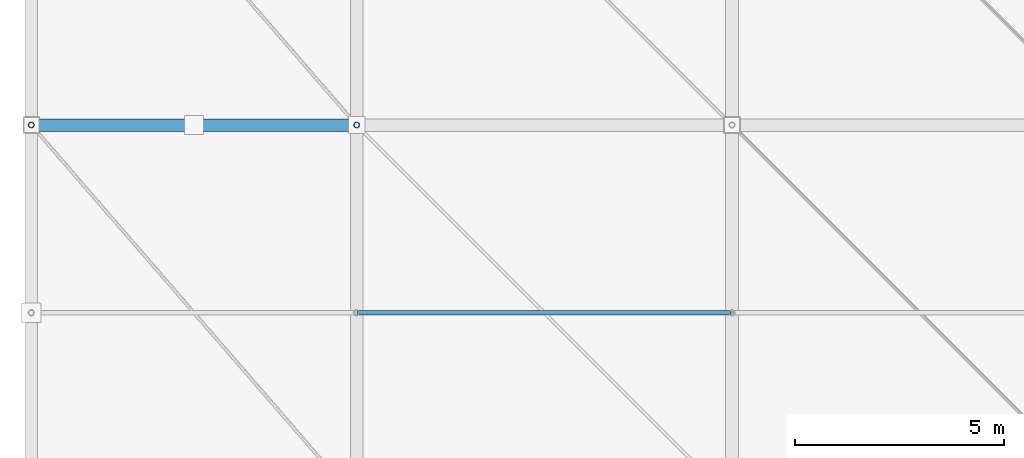
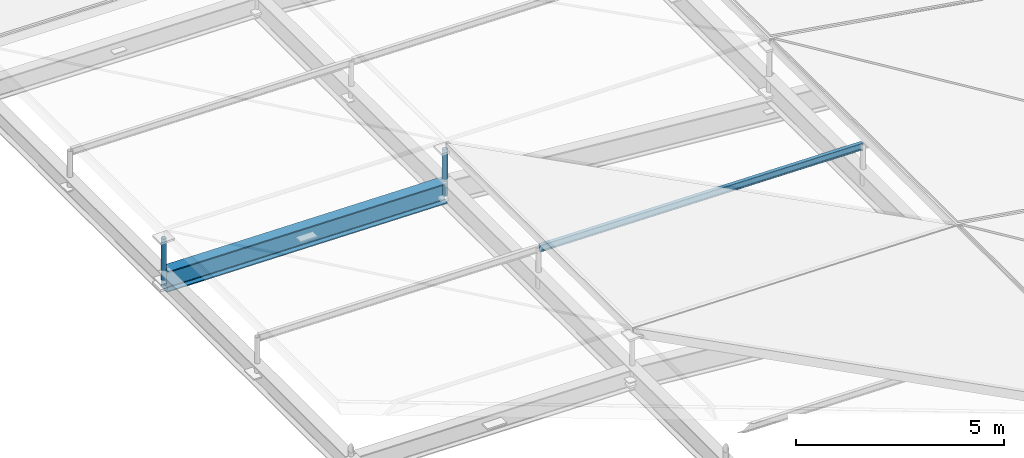
# One storey, part 7 of 80: 3 members, 1 beam.
"""IFC4 building model written with IfcOpenShell, lengths in metres."""

from ifc_helpers import new_model, si_unit, direction, frame, origin, origin_2d, place, context, subcontext, project, spatial, hollow_circle, i_section, extrude, material, material_profile, profile_set, type_object, element, save


model = new_model("IFC4")

# Units and contexts
model_context = context("Model", 3, precision=1e-05, world=origin(), true_north=direction((0.0, 1.0)))
body_context = subcontext(model_context, "Body", "Model", "MODEL_VIEW")
ifc_project = project(units=[si_unit("LENGTHUNIT", "METRE"), si_unit("AREAUNIT", "SQUARE_METRE"), si_unit("VOLUMEUNIT", "CUBIC_METRE"), si_unit("PLANEANGLEUNIT", "RADIAN"), si_unit("MASSUNIT", "GRAM", prefix="KILO")], contexts=[model_context])

# Site, building, storey
site_placement = place(None, origin())
site = spatial("IfcSite", under=ifc_project, at=site_placement, CompositionType="ELEMENT")
building_placement = place(site_placement, origin())
building = spatial("IfcBuilding", under=site, at=building_placement, Name="Barlavento Convention Centre", CompositionType="ELEMENT")
storey_placement = place(building_placement, frame((0.0, 0.0, 29.800048828125)))
storey = spatial("IfcBuildingStorey", under=building, at=storey_placement, Name="RF", CompositionType="ELEMENT", Elevation=29.800048828125)

# Beam
ifc_material = material(Name="Steel S355", Category="steel")
ifc_material_profile_1 = material_profile(ifc_material, i_section(OverallWidth=0.300048828125, OverallDepth=0.60009765625, WebThickness=0.015380859375, FlangeThickness=0.030029296875, FilletRadius=0.027099609375, at=origin_2d()), Name="HEB 600")
ifc_profile_set_1 = profile_set([ifc_material_profile_1], Name="Steel S355")
beam_type = type_object("IfcBeamType", Name="STR-BM-CANT-HEB600", PredefinedType="BEAM", material=ifc_profile_set_1)
beam_placement = place(storey_placement, frame((-7.794921875, 18.0, 0.39990234375), z_axis=(0.999894739787, 0.0, -0.014508940219), x_axis=(0.0, 1.0, 0.0)))
element("IfcBeam", 1, at=beam_placement, inside=storey, type_object=beam_type, Name="Congress roof truss space frame chord", PredefinedType="BEAM", context=body_context, shape_type="SweptSolid", body=[
    extrude(i_section(OverallWidth=0.300048828125, OverallDepth=0.60009765625, WebThickness=0.015380859375, FlangeThickness=0.030029296875, FilletRadius=0.027099609375, at=origin_2d()), origin(), (0.0, 0.0, 1.0), 7.790771484375),
])

# Members
ifc_material_profile_2 = material_profile(ifc_material, hollow_circle(Radius=0.06982421875, WallThickness=0.008056640625, at=origin_2d()), Name="CHS 139.7x8.0")
ifc_profile_set_2 = profile_set([ifc_material_profile_2], Name="Steel S355")
member_type_1 = type_object("IfcMemberType", Name="STR-MEM-DIAG-CHS139", PredefinedType="BRACE", material=ifc_profile_set_2)
for number, where, z_axis, x_axis, name in (
    (2, (-7.800048828125, 18.0, 0.25), (0.0, 0.0, 1.0), (1.0, 0.0, 0.0), "Congress space frame vertical node post TD04"),
    (3, (0.0, 18.0, 0.136962890625), (0.0, 0.0, 1.0), (1.0, 0.0, 0.0), "Congress space frame vertical node post TD04"),
):
    element("IfcMember", number, at=place(storey_placement, frame(where, z_axis=z_axis, x_axis=x_axis)), inside=storey, type_object=member_type_1, Name=name, PredefinedType="BRACE", context=body_context, shape_type="SweptSolid", body=[
        extrude(hollow_circle(Radius=0.06982421875, WallThickness=0.008056640625, at=origin_2d()), origin(), (0.0, 0.0, 1.0), 1.369873046875),
    ])
ifc_material_profile_3 = material_profile(ifc_material, i_section(OverallWidth=0.10009765625, OverallDepth=0.199951171875, WebThickness=0.005615234375, FlangeThickness=0.008544921875, FilletRadius=0.011962890625, at=origin_2d()), Name="IPE 200")
ifc_profile_set_3 = profile_set([ifc_material_profile_3], Name="Steel S355")
member_type_2 = type_object("IfcMemberType", Name="STR-MEM-PUR-IPE200", PredefinedType="PURLIN", material=ifc_profile_set_3)
member_placement = place(storey_placement, frame((0.02001953125, 13.5, 1.30859375), z_axis=(0.999894555581, 0.0, -0.014521629377), x_axis=(0.0, 1.0, 0.0)))
element("IfcMember", 4, at=member_placement, inside=storey, type_object=member_type_2, Name="Congress roof intermediate purlin PR01", PredefinedType="PURLIN", context=body_context, shape_type="SweptSolid", body=[
    extrude(i_section(OverallWidth=0.10009765625, OverallDepth=0.199951171875, WebThickness=0.005615234375, FlangeThickness=0.008544921875, FilletRadius=0.011962890625, at=origin_2d()), origin(), (0.0, 0.0, 1.0), 8.9609375),
])

save(model, "model.ifc")
